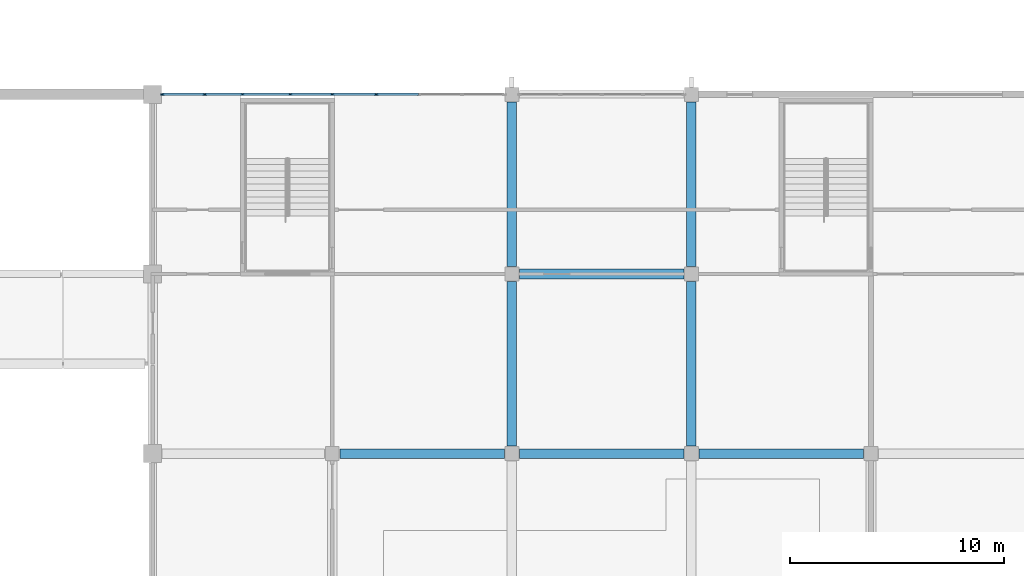
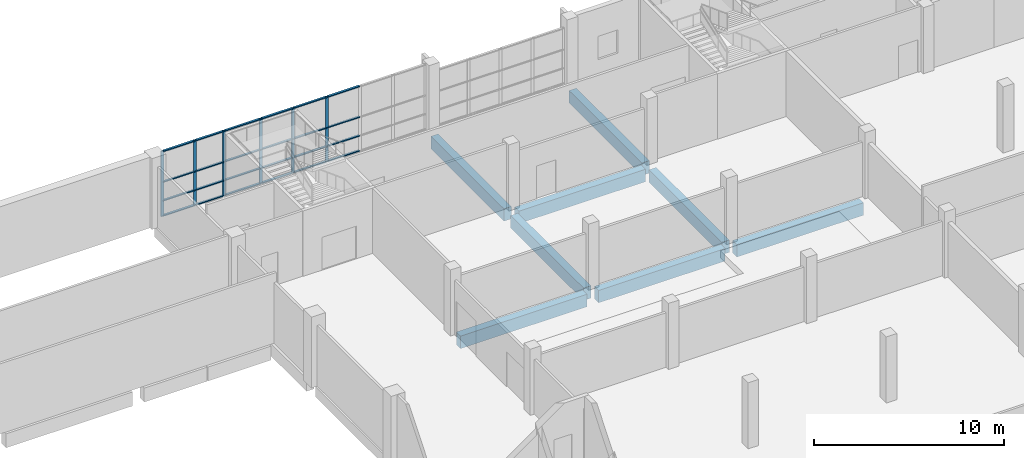
# One storey, part 4 of 64: 30 members, 8 beams, 1 element without a shape of its own.
"""IFC4 building model written with IfcOpenShell, lengths in metres."""

from ifc_helpers import new_model, si_unit, direction, frame, origin, origin_2d, place, context, subcontext, project, spatial, rectangle, extrude, material, layer, layer_set, material_profile, profile_set, type_object, element, aggregate, save


model = new_model("IFC4")

# Units and contexts
model_context = context("Model", 3, precision=1e-05, world=origin(), true_north=direction((0.0, 1.0)))
body_context = subcontext(model_context, "Body", "Model", "MODEL_VIEW")
ifc_project = project(units=[si_unit("LENGTHUNIT", "METRE"), si_unit("AREAUNIT", "SQUARE_METRE"), si_unit("VOLUMEUNIT", "CUBIC_METRE"), si_unit("PLANEANGLEUNIT", "RADIAN"), si_unit("MASSUNIT", "GRAM", prefix="KILO")], contexts=[model_context])

# Site, building, storey
site_placement = place(None, origin())
site = spatial("IfcSite", under=ifc_project, at=site_placement, CompositionType="ELEMENT")
building_placement = place(site_placement, origin())
building = spatial("IfcBuilding", under=site, at=building_placement, Name="Rulbaag Community and Learning Centre", CompositionType="ELEMENT")
storey_placement = place(building_placement, frame((0.0, 0.0, 5.39990234375)))
storey = spatial("IfcBuildingStorey", under=building, at=storey_placement, Name="L01", CompositionType="ELEMENT", Elevation=5.39990234375)

# Beams
ifc_material_1 = material(Name="Concrete M40", Category="concrete")
ifc_material_profile_1 = material_profile(ifc_material_1, rectangle(XDim=0.449951171875, YDim=0.800048828125, at=origin_2d()), Name="RB450x800")
ifc_profile_set_1 = profile_set([ifc_material_profile_1], Name="Concrete M40")
beam_type = type_object("IfcBeamType", Name="B21 Library floor beam 450x800 Concrete M40", PredefinedType="BEAM", material=ifc_profile_set_1)
beam_1_placement = place(storey_placement, frame((92.7548828125, 33.60009765625, -0.699951171875), z_axis=(1.0, 0.0, 0.0), x_axis=(0.0, 1.0, 0.0)))
element("IfcBeam", 1, at=beam_1_placement, inside=storey, type_object=beam_type, Name="BM-L01-12E-13E", PredefinedType="BEAM", context=body_context, shape_type="SweptSolid", body=[
    extrude(rectangle(XDim=0.449951171875, YDim=0.800048828125, at=origin_2d()), origin(), (0.0, 0.0, 1.0), 7.690185546875),
])
for number, where, z_axis, x_axis, name in (
    (2, (101.155029296875, 33.60009765625, -0.699951171875), (1.0, 0.0, 0.0), (0.0, 1.0, 0.0), "BM-L01-13E-14E"),
    (3, (100.800048828125, 33.955078125, -0.699951171875), (0.0, 1.0, 0.0), (-1.0, 0.0, 0.0), "BM-L01-13E-13F"),
    (4, (101.155029296875, 42.0, -0.699951171875), (1.0, 0.0, 0.0), (0.0, 1.0, 0.0), "BM-L01-13F-14F"),
    (5, (100.800048828125, 42.35498046875, -0.699951171875), (0.0, 1.0, 0.0), (-1.0, 0.0, 0.0), "BM-L01-13F-13G"),
):
    element("IfcBeam", number, at=place(storey_placement, frame(where, z_axis=z_axis, x_axis=x_axis)), inside=storey, type_object=beam_type, Name=name, PredefinedType="BEAM", context=body_context, shape_type="SweptSolid", body=[
        extrude(rectangle(XDim=0.449951171875, YDim=0.800048828125, at=origin_2d()), origin(), (0.0, 0.0, 1.0), 7.68994140625),
    ])
beam_2_placement = place(storey_placement, frame((109.554931640625, 33.60009765625, -0.699951171875), z_axis=(1.0, 0.0, 0.0), x_axis=(0.0, 1.0, 0.0)))
element("IfcBeam", 6, at=beam_2_placement, inside=storey, type_object=beam_type, Name="BM-L01-14E-15E", PredefinedType="BEAM", context=body_context, shape_type="SweptSolid", body=[
    extrude(rectangle(XDim=0.449951171875, YDim=0.800048828125, at=origin_2d()), origin(), (0.0, 0.0, 1.0), 7.690185546875),
])
for number, where, z_axis, x_axis, name in (
    (7, (109.199951171875, 33.955078125, -0.699951171875), (0.0, 1.0, 0.0), (-1.0, 0.0, 0.0), "BM-L01-14E-14F"),
    (8, (109.199951171875, 42.35498046875, -0.699951171875), (0.0, 1.0, 0.0), (-1.0, 0.0, 0.0), "BM-L01-14F-14G"),
):
    element("IfcBeam", number, at=place(storey_placement, frame(where, z_axis=z_axis, x_axis=x_axis)), inside=storey, type_object=beam_type, Name=name, PredefinedType="BEAM", context=body_context, shape_type="SweptSolid", body=[
        extrude(rectangle(XDim=0.449951171875, YDim=0.800048828125, at=origin_2d()), origin(), (0.0, 0.0, 1.0), 7.68994140625),
    ])

# Curtain wall, members
ifc_material_2 = material(Name="Aluminium", Category="aluminium")
ifc_layer = layer(ifc_material_2, 0.14990234375)
ifc_layer_set = layer_set([ifc_layer], Name="CW-L")
curtain_wall_type = type_object("IfcCurtainWallType", Name="CW-L", PredefinedType="USERDEFINED", material=ifc_layer_set)
curtain_wall_placement = place(storey_placement, origin())
curtain_wall = element("IfcCurtainWall", 9, at=curtain_wall_placement, inside=storey, type_object=curtain_wall_type, Name="GL-L01-03", ObjectType="STICK CURTAIN WALL", PredefinedType="USERDEFINED")
ifc_material_3 = material(Name="Aluminium mullion", Category="aluminium")
ifc_material_profile_2 = material_profile(ifc_material_3, rectangle(XDim=0.06494140625, YDim=0.175048828125, at=origin_2d()), Name="AL 65x175")
ifc_profile_set_2 = profile_set([ifc_material_profile_2], Name="Aluminium mullion")
member_type_1 = type_object("IfcMemberType", Name="CW-L-MUL", PredefinedType="MULLION", material=ifc_profile_set_2)
member_1_placement = place(storey_placement, frame((84.45751953125, 50.39990234375, 0.0), z_axis=(0.0, 0.0, 1.0), x_axis=(0.0, 1.0, 0.0)))
member_1 = element("IfcMember", 10, at=member_1_placement, type_object=member_type_1, Name="GL mullion 1", PredefinedType="MULLION", context=body_context, shape_type="SweptSolid", body=[
    extrude(rectangle(XDim=0.06494140625, YDim=0.175048828125, at=origin_2d()), origin(), (0.0, 0.0, 1.0), 4.2001953125),
])
member_2_placement = place(storey_placement, frame((86.43115234375, 50.39990234375, 0.0), z_axis=(0.0, 0.0, 1.0), x_axis=(0.0, 1.0, 0.0)))
member_2 = element("IfcMember", 11, at=member_2_placement, type_object=member_type_1, Name="GL mullion 2", PredefinedType="MULLION", context=body_context, shape_type="SweptSolid", body=[
    extrude(rectangle(XDim=0.06494140625, YDim=0.175048828125, at=origin_2d()), origin(), (0.0, 0.0, 1.0), 4.2001953125),
])
member_3_placement = place(storey_placement, frame((88.199951171875, 50.39990234375, 0.0), z_axis=(0.0, 0.0, 1.0), x_axis=(0.0, 1.0, 0.0)))
member_3 = element("IfcMember", 12, at=member_3_placement, type_object=member_type_1, Name="GL mullion 3", PredefinedType="MULLION", context=body_context, shape_type="SweptSolid", body=[
    extrude(rectangle(XDim=0.06494140625, YDim=0.175048828125, at=origin_2d()), origin(), (0.0, 0.0, 1.0), 4.2001953125),
])
member_4_placement = place(storey_placement, frame((90.44384765625, 50.39990234375, 0.0), z_axis=(0.0, 0.0, 1.0), x_axis=(0.0, 1.0, 0.0)))
member_4 = element("IfcMember", 13, at=member_4_placement, type_object=member_type_1, Name="GL mullion 4", PredefinedType="MULLION", context=body_context, shape_type="SweptSolid", body=[
    extrude(rectangle(XDim=0.06494140625, YDim=0.175048828125, at=origin_2d()), origin(), (0.0, 0.0, 1.0), 4.2001953125),
])
member_5_placement = place(storey_placement, frame((92.39990234375, 50.39990234375, 0.0), z_axis=(0.0, 0.0, 1.0), x_axis=(0.0, 1.0, 0.0)))
member_5 = element("IfcMember", 14, at=member_5_placement, type_object=member_type_1, Name="GL mullion 5", PredefinedType="MULLION", context=body_context, shape_type="SweptSolid", body=[
    extrude(rectangle(XDim=0.06494140625, YDim=0.175048828125, at=origin_2d()), origin(), (0.0, 0.0, 1.0), 4.2001953125),
])
member_6_placement = place(storey_placement, frame((94.456298828125, 50.39990234375, 0.0), z_axis=(0.0, 0.0, 1.0), x_axis=(0.0, 1.0, 0.0)))
member_6 = element("IfcMember", 15, at=member_6_placement, type_object=member_type_1, Name="GL mullion 6", PredefinedType="MULLION", context=body_context, shape_type="SweptSolid", body=[
    extrude(rectangle(XDim=0.06494140625, YDim=0.175048828125, at=origin_2d()), origin(), (0.0, 0.0, 1.0), 4.2001953125),
])
ifc_material_4 = material(Name="Aluminium transom", Category="aluminium")
ifc_material_profile_3 = material_profile(ifc_material_4, rectangle(XDim=0.125, YDim=0.06494140625, at=origin_2d()), Name="AL 65x125 T")
ifc_profile_set_3 = profile_set([ifc_material_profile_3], Name="Aluminium transom")
member_type_2 = type_object("IfcMemberType", Name="CW-L-TRN", PredefinedType="USERDEFINED", material=ifc_profile_set_3)
member_7_placement = place(storey_placement, frame((84.489990234375, 50.39990234375, 0.03271484375), z_axis=(1.0, 0.0, 0.0), x_axis=(0.0, 1.0, 0.0)))
member_7 = element("IfcMember", 16, at=member_7_placement, type_object=member_type_2, Name="GL transom 1.1", ObjectType="TRANSOM", PredefinedType="USERDEFINED", context=body_context, shape_type="SweptSolid", body=[
    extrude(rectangle(XDim=0.125, YDim=0.06494140625, at=origin_2d()), origin(), (0.0, 0.0, 1.0), 1.90869140625),
])
member_8_placement = place(storey_placement, frame((84.489990234375, 50.39990234375, 1.0), z_axis=(1.0, 0.0, 0.0), x_axis=(0.0, 1.0, 0.0)))
member_8 = element("IfcMember", 17, at=member_8_placement, type_object=member_type_2, Name="GL transom 1.2", ObjectType="TRANSOM", PredefinedType="USERDEFINED", context=body_context, shape_type="SweptSolid", body=[
    extrude(rectangle(XDim=0.125, YDim=0.06494140625, at=origin_2d()), origin(), (0.0, 0.0, 1.0), 1.90869140625),
])
member_9_placement = place(storey_placement, frame((84.489990234375, 50.39990234375, 2.2001953125), z_axis=(1.0, 0.0, 0.0), x_axis=(0.0, 1.0, 0.0)))
member_9 = element("IfcMember", 18, at=member_9_placement, type_object=member_type_2, Name="GL transom 1.3", ObjectType="TRANSOM", PredefinedType="USERDEFINED", context=body_context, shape_type="SweptSolid", body=[
    extrude(rectangle(XDim=0.125, YDim=0.06494140625, at=origin_2d()), origin(), (0.0, 0.0, 1.0), 1.90869140625),
])
member_10_placement = place(storey_placement, frame((84.489990234375, 50.39990234375, 4.16748046875), z_axis=(1.0, 0.0, 0.0), x_axis=(0.0, 1.0, 0.0)))
member_10 = element("IfcMember", 19, at=member_10_placement, type_object=member_type_2, Name="GL transom 1.4", ObjectType="TRANSOM", PredefinedType="USERDEFINED", context=body_context, shape_type="SweptSolid", body=[
    extrude(rectangle(XDim=0.125, YDim=0.06494140625, at=origin_2d()), origin(), (0.0, 0.0, 1.0), 1.90869140625),
])
member_11_placement = place(storey_placement, frame((86.4638671875, 50.39990234375, 0.03271484375), z_axis=(1.0, 0.0, 0.0), x_axis=(0.0, 1.0, 0.0)))
member_11 = element("IfcMember", 20, at=member_11_placement, type_object=member_type_2, Name="GL transom 2.1", ObjectType="TRANSOM", PredefinedType="USERDEFINED", context=body_context, shape_type="SweptSolid", body=[
    extrude(rectangle(XDim=0.125, YDim=0.06494140625, at=origin_2d()), origin(), (0.0, 0.0, 1.0), 1.70361328125),
])
member_12_placement = place(storey_placement, frame((86.4638671875, 50.39990234375, 1.0), z_axis=(1.0, 0.0, 0.0), x_axis=(0.0, 1.0, 0.0)))
member_12 = element("IfcMember", 21, at=member_12_placement, type_object=member_type_2, Name="GL transom 2.2", ObjectType="TRANSOM", PredefinedType="USERDEFINED", context=body_context, shape_type="SweptSolid", body=[
    extrude(rectangle(XDim=0.125, YDim=0.06494140625, at=origin_2d()), origin(), (0.0, 0.0, 1.0), 1.70361328125),
])
member_13_placement = place(storey_placement, frame((86.4638671875, 50.39990234375, 2.2001953125), z_axis=(1.0, 0.0, 0.0), x_axis=(0.0, 1.0, 0.0)))
member_13 = element("IfcMember", 22, at=member_13_placement, type_object=member_type_2, Name="GL transom 2.3", ObjectType="TRANSOM", PredefinedType="USERDEFINED", context=body_context, shape_type="SweptSolid", body=[
    extrude(rectangle(XDim=0.125, YDim=0.06494140625, at=origin_2d()), origin(), (0.0, 0.0, 1.0), 1.70361328125),
])
member_14_placement = place(storey_placement, frame((86.4638671875, 50.39990234375, 4.16748046875), z_axis=(1.0, 0.0, 0.0), x_axis=(0.0, 1.0, 0.0)))
member_14 = element("IfcMember", 23, at=member_14_placement, type_object=member_type_2, Name="GL transom 2.4", ObjectType="TRANSOM", PredefinedType="USERDEFINED", context=body_context, shape_type="SweptSolid", body=[
    extrude(rectangle(XDim=0.125, YDim=0.06494140625, at=origin_2d()), origin(), (0.0, 0.0, 1.0), 1.70361328125),
])
member_15_placement = place(storey_placement, frame((88.232421875, 50.39990234375, 0.03271484375), z_axis=(1.0, 0.0, 0.0), x_axis=(0.0, 1.0, 0.0)))
member_15 = element("IfcMember", 24, at=member_15_placement, type_object=member_type_2, Name="GL transom 3.1", ObjectType="TRANSOM", PredefinedType="USERDEFINED", context=body_context, shape_type="SweptSolid", body=[
    extrude(rectangle(XDim=0.125, YDim=0.06494140625, at=origin_2d()), origin(), (0.0, 0.0, 1.0), 2.1787109375),
])
member_16_placement = place(storey_placement, frame((88.232421875, 50.39990234375, 1.0), z_axis=(1.0, 0.0, 0.0), x_axis=(0.0, 1.0, 0.0)))
member_16 = element("IfcMember", 25, at=member_16_placement, type_object=member_type_2, Name="GL transom 3.2", ObjectType="TRANSOM", PredefinedType="USERDEFINED", context=body_context, shape_type="SweptSolid", body=[
    extrude(rectangle(XDim=0.125, YDim=0.06494140625, at=origin_2d()), origin(), (0.0, 0.0, 1.0), 2.1787109375),
])
member_17_placement = place(storey_placement, frame((88.232421875, 50.39990234375, 2.2001953125), z_axis=(1.0, 0.0, 0.0), x_axis=(0.0, 1.0, 0.0)))
member_17 = element("IfcMember", 26, at=member_17_placement, type_object=member_type_2, Name="GL transom 3.3", ObjectType="TRANSOM", PredefinedType="USERDEFINED", context=body_context, shape_type="SweptSolid", body=[
    extrude(rectangle(XDim=0.125, YDim=0.06494140625, at=origin_2d()), origin(), (0.0, 0.0, 1.0), 2.1787109375),
])
member_18_placement = place(storey_placement, frame((88.232421875, 50.39990234375, 4.16748046875), z_axis=(1.0, 0.0, 0.0), x_axis=(0.0, 1.0, 0.0)))
member_18 = element("IfcMember", 27, at=member_18_placement, type_object=member_type_2, Name="GL transom 3.4", ObjectType="TRANSOM", PredefinedType="USERDEFINED", context=body_context, shape_type="SweptSolid", body=[
    extrude(rectangle(XDim=0.125, YDim=0.06494140625, at=origin_2d()), origin(), (0.0, 0.0, 1.0), 2.1787109375),
])
member_19_placement = place(storey_placement, frame((90.476318359375, 50.39990234375, 0.03271484375), z_axis=(1.0, 0.0, 0.0), x_axis=(0.0, 1.0, 0.0)))
member_19 = element("IfcMember", 28, at=member_19_placement, type_object=member_type_2, Name="GL transom 4.1", ObjectType="TRANSOM", PredefinedType="USERDEFINED", context=body_context, shape_type="SweptSolid", body=[
    extrude(rectangle(XDim=0.125, YDim=0.06494140625, at=origin_2d()), origin(), (0.0, 0.0, 1.0), 1.89111328125),
])
member_20_placement = place(storey_placement, frame((90.476318359375, 50.39990234375, 1.0), z_axis=(1.0, 0.0, 0.0), x_axis=(0.0, 1.0, 0.0)))
member_20 = element("IfcMember", 29, at=member_20_placement, type_object=member_type_2, Name="GL transom 4.2", ObjectType="TRANSOM", PredefinedType="USERDEFINED", context=body_context, shape_type="SweptSolid", body=[
    extrude(rectangle(XDim=0.125, YDim=0.06494140625, at=origin_2d()), origin(), (0.0, 0.0, 1.0), 1.89111328125),
])
member_21_placement = place(storey_placement, frame((90.476318359375, 50.39990234375, 2.2001953125), z_axis=(1.0, 0.0, 0.0), x_axis=(0.0, 1.0, 0.0)))
member_21 = element("IfcMember", 30, at=member_21_placement, type_object=member_type_2, Name="GL transom 4.3", ObjectType="TRANSOM", PredefinedType="USERDEFINED", context=body_context, shape_type="SweptSolid", body=[
    extrude(rectangle(XDim=0.125, YDim=0.06494140625, at=origin_2d()), origin(), (0.0, 0.0, 1.0), 1.89111328125),
])
member_22_placement = place(storey_placement, frame((90.476318359375, 50.39990234375, 4.16748046875), z_axis=(1.0, 0.0, 0.0), x_axis=(0.0, 1.0, 0.0)))
member_22 = element("IfcMember", 31, at=member_22_placement, type_object=member_type_2, Name="GL transom 4.4", ObjectType="TRANSOM", PredefinedType="USERDEFINED", context=body_context, shape_type="SweptSolid", body=[
    extrude(rectangle(XDim=0.125, YDim=0.06494140625, at=origin_2d()), origin(), (0.0, 0.0, 1.0), 1.89111328125),
])
member_23_placement = place(storey_placement, frame((92.4326171875, 50.39990234375, 0.03271484375), z_axis=(1.0, 0.0, 0.0), x_axis=(0.0, 1.0, 0.0)))
member_23 = element("IfcMember", 32, at=member_23_placement, type_object=member_type_2, Name="GL transom 5.1", ObjectType="TRANSOM", PredefinedType="USERDEFINED", context=body_context, shape_type="SweptSolid", body=[
    extrude(rectangle(XDim=0.125, YDim=0.06494140625, at=origin_2d()), origin(), (0.0, 0.0, 1.0), 1.9912109375),
])
member_24_placement = place(storey_placement, frame((92.4326171875, 50.39990234375, 1.0), z_axis=(1.0, 0.0, 0.0), x_axis=(0.0, 1.0, 0.0)))
member_24 = element("IfcMember", 33, at=member_24_placement, type_object=member_type_2, Name="GL transom 5.2", ObjectType="TRANSOM", PredefinedType="USERDEFINED", context=body_context, shape_type="SweptSolid", body=[
    extrude(rectangle(XDim=0.125, YDim=0.06494140625, at=origin_2d()), origin(), (0.0, 0.0, 1.0), 1.9912109375),
])
member_25_placement = place(storey_placement, frame((92.4326171875, 50.39990234375, 2.2001953125), z_axis=(1.0, 0.0, 0.0), x_axis=(0.0, 1.0, 0.0)))
member_25 = element("IfcMember", 34, at=member_25_placement, type_object=member_type_2, Name="GL transom 5.3", ObjectType="TRANSOM", PredefinedType="USERDEFINED", context=body_context, shape_type="SweptSolid", body=[
    extrude(rectangle(XDim=0.125, YDim=0.06494140625, at=origin_2d()), origin(), (0.0, 0.0, 1.0), 1.9912109375),
])
member_26_placement = place(storey_placement, frame((92.4326171875, 50.39990234375, 4.16748046875), z_axis=(1.0, 0.0, 0.0), x_axis=(0.0, 1.0, 0.0)))
member_26 = element("IfcMember", 35, at=member_26_placement, type_object=member_type_2, Name="GL transom 5.4", ObjectType="TRANSOM", PredefinedType="USERDEFINED", context=body_context, shape_type="SweptSolid", body=[
    extrude(rectangle(XDim=0.125, YDim=0.06494140625, at=origin_2d()), origin(), (0.0, 0.0, 1.0), 1.9912109375),
])
member_27_placement = place(storey_placement, frame((94.48876953125, 50.39990234375, 0.03271484375), z_axis=(1.0, 0.0, 0.0), x_axis=(0.0, 1.0, 0.0)))
member_27 = element("IfcMember", 36, at=member_27_placement, type_object=member_type_2, Name="GL transom 6.1", ObjectType="TRANSOM", PredefinedType="USERDEFINED", context=body_context, shape_type="SweptSolid", body=[
    extrude(rectangle(XDim=0.125, YDim=0.06494140625, at=origin_2d()), origin(), (0.0, 0.0, 1.0), 1.941162109375),
])
member_28_placement = place(storey_placement, frame((94.48876953125, 50.39990234375, 1.0), z_axis=(1.0, 0.0, 0.0), x_axis=(0.0, 1.0, 0.0)))
member_28 = element("IfcMember", 37, at=member_28_placement, type_object=member_type_2, Name="GL transom 6.2", ObjectType="TRANSOM", PredefinedType="USERDEFINED", context=body_context, shape_type="SweptSolid", body=[
    extrude(rectangle(XDim=0.125, YDim=0.06494140625, at=origin_2d()), origin(), (0.0, 0.0, 1.0), 1.941162109375),
])
member_29_placement = place(storey_placement, frame((94.48876953125, 50.39990234375, 2.2001953125), z_axis=(1.0, 0.0, 0.0), x_axis=(0.0, 1.0, 0.0)))
member_29 = element("IfcMember", 38, at=member_29_placement, type_object=member_type_2, Name="GL transom 6.3", ObjectType="TRANSOM", PredefinedType="USERDEFINED", context=body_context, shape_type="SweptSolid", body=[
    extrude(rectangle(XDim=0.125, YDim=0.06494140625, at=origin_2d()), origin(), (0.0, 0.0, 1.0), 1.941162109375),
])
member_30_placement = place(storey_placement, frame((94.48876953125, 50.39990234375, 4.16748046875), z_axis=(1.0, 0.0, 0.0), x_axis=(0.0, 1.0, 0.0)))
member_30 = element("IfcMember", 39, at=member_30_placement, type_object=member_type_2, Name="GL transom 6.4", ObjectType="TRANSOM", PredefinedType="USERDEFINED", context=body_context, shape_type="SweptSolid", body=[
    extrude(rectangle(XDim=0.125, YDim=0.06494140625, at=origin_2d()), origin(), (0.0, 0.0, 1.0), 1.941162109375),
])
aggregate(curtain_wall, [member_1, member_2, member_3, member_4, member_5, member_6, member_7, member_8, member_9, member_10, member_11, member_12, member_13, member_14, member_15, member_16, member_17, member_18, member_19, member_20, member_21, member_22, member_23, member_24, member_25, member_26, member_27, member_28, member_29, member_30])

save(model, "model.ifc")
